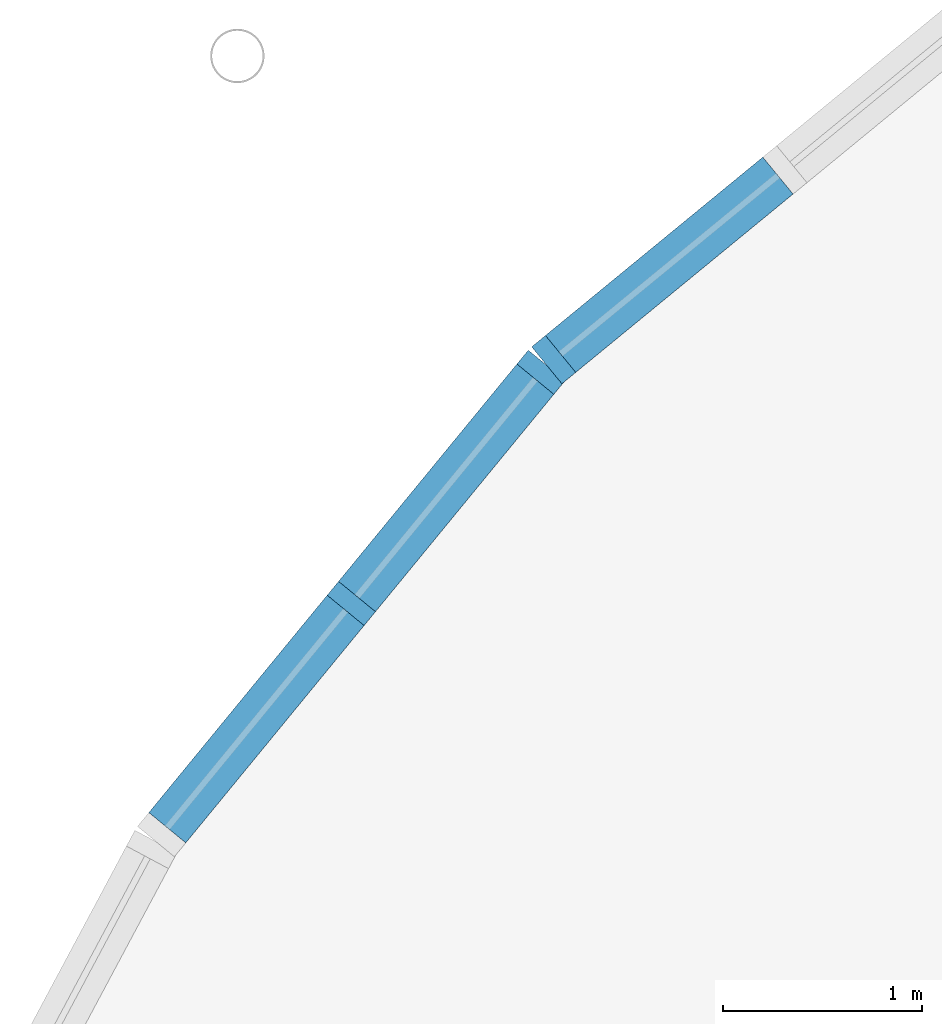
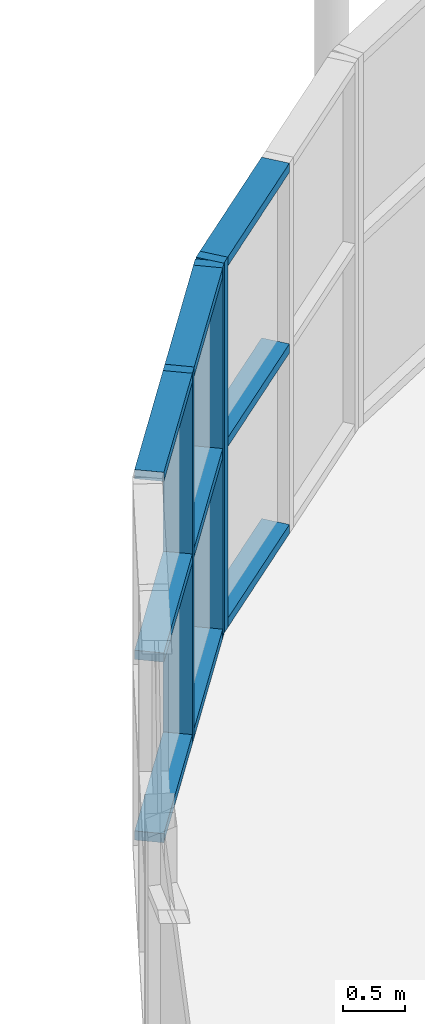
# One storey, part 42 of 98: 12 members, 2 elements without a shape of their own.
"""IFC4 building model written with IfcOpenShell, lengths in metres."""

from ifc_helpers import new_model, si_unit, derived_unit, direction, frame, origin, origin_2d_with_axis, place, context, subcontext, project, spatial, rectangle, extrude, material, material_profile, profile_set, type_object, element, aggregate, save


model = new_model("IFC4")

# Units and contexts
model_context = context("Model", 3, precision=1e-05, world=origin(), true_north=direction((0.0, 1.0)))
body_context = subcontext(model_context, "Body", "Model", "MODEL_VIEW")
ifc_project = project(units=[si_unit("LENGTHUNIT", "METRE"), si_unit("AREAUNIT", "SQUARE_METRE"), si_unit("VOLUMEUNIT", "CUBIC_METRE"), si_unit("PLANEANGLEUNIT", "RADIAN"), si_unit("MASSUNIT", "GRAM", prefix="KILO"), derived_unit("THERMALTRANSMITTANCEUNIT", [(si_unit("POWERUNIT", "WATT"), 1), (si_unit("LENGTHUNIT", "METRE"), -2), (si_unit("THERMODYNAMICTEMPERATUREUNIT", "KELVIN"), -1)])], contexts=[model_context])

# Site, building, storey
site_placement = place(None, origin())
site = spatial("IfcSite", under=ifc_project, at=site_placement, CompositionType="ELEMENT")
building_placement = place(site_placement, origin())
building = spatial("IfcBuilding", under=site, at=building_placement, Name="Cinnabar Yard Market Hall", CompositionType="ELEMENT")
storey_placement = place(building_placement, frame((0.0, 0.0, 4.5)))
storey = spatial("IfcBuildingStorey", under=building, at=storey_placement, Name="L01", CompositionType="ELEMENT", Elevation=4.5)

# Curtain wall, member
ifc_material_1 = material(Name="Anodised bronze aluminium curved-chord facade", Category="aluminium")
curtain_wall_type = type_object("IfcCurtainWallType", Name="CW-CWC031x36", PredefinedType="NOTDEFINED", material=ifc_material_1)
curtain_wall_1_placement = place(storey_placement, origin())
curtain_wall_1 = element("IfcCurtainWall", 1, at=curtain_wall_1_placement, inside=storey, type_object=curtain_wall_type, Name="Corner NW Chord 4 L01", PredefinedType="NOTDEFINED")
ifc_material_2 = material(Name="Anodised bronze aluminium", Category="aluminium")
ifc_material_profile_1 = material_profile(ifc_material_2, rectangle(XDim=0.239990234375, YDim=0.090087890625, at=origin_2d_with_axis()), Name="MUL-CWC")
ifc_profile_set_1 = profile_set([ifc_material_profile_1], Name="Anodised bronze aluminium")
member_type_1 = type_object("IfcMemberType", Name="CWM-CWC", PredefinedType="MULLION", material=ifc_profile_set_1)
member_1_placement = place(storey_placement, frame((72.862548828125, 67.200927734375, 0.0), z_axis=(0.0, 0.0, 1.0), x_axis=(0.634383400924, -0.773018564222, 0.0)))
member_1 = element("IfcMember", 2, at=member_1_placement, type_object=member_type_1, Name="CWC031x36 mullion 3", PredefinedType="MULLION", context=body_context, shape_type="SweptSolid", body=[
    extrude(rectangle(XDim=0.239990234375, YDim=0.090087890625, at=origin_2d_with_axis()), origin(), (0.0, 0.0, 1.0), 3.64990234375),
])

# Curtain wall, members
curtain_wall_2_placement = place(storey_placement, origin())
curtain_wall_2 = element("IfcCurtainWall", 3, at=curtain_wall_2_placement, inside=storey, type_object=curtain_wall_type, Name="Corner NW Chord 5 L01", PredefinedType="NOTDEFINED")
member_2_placement = place(storey_placement, frame((72.799072265625, 67.137451171875, 0.0), z_axis=(0.0, 0.0, 1.0), x_axis=(0.773018564222, -0.634383400924, 0.0)))
member_2 = element("IfcMember", 4, at=member_2_placement, type_object=member_type_1, Name="CWC031x36 mullion 1", PredefinedType="MULLION", context=body_context, shape_type="SweptSolid", body=[
    extrude(rectangle(XDim=0.239990234375, YDim=0.090087890625, at=origin_2d_with_axis()), origin(), (0.0, 0.0, 1.0), 3.64990234375),
])
member_3_placement = place(storey_placement, frame((71.84521484375, 65.97509765625, 0.0), z_axis=(0.0, 0.0, 1.0), x_axis=(0.773018564222, -0.634383400924, 0.0)))
member_3 = element("IfcMember", 5, at=member_3_placement, type_object=member_type_1, Name="CWC031x36 mullion 2", PredefinedType="MULLION", context=body_context, shape_type="SweptSolid", body=[
    extrude(rectangle(XDim=0.239990234375, YDim=0.090087890625, at=origin_2d_with_axis()), origin(), (0.0, 0.0, 1.0), 3.64990234375),
])

# Member
ifc_material_profile_2 = material_profile(ifc_material_2, rectangle(XDim=0.239990234375, YDim=0.090087890625, at=origin_2d_with_axis()), Name="TRN-CWC")
ifc_profile_set_2 = profile_set([ifc_material_profile_2], Name="Anodised bronze aluminium")
member_type_2 = type_object("IfcMemberType", Name="CWT-CWC", PredefinedType="USERDEFINED", material=ifc_profile_set_2)
member_4_placement = place(storey_placement, frame((73.989990234375, 68.126220703125, 0.044921875), z_axis=(-0.773040795861, -0.634356309919, 0.0), x_axis=(0.634356309919, -0.773040795861, 0.0)))
member_4 = element("IfcMember", 6, at=member_4_placement, type_object=member_type_2, Name="CWC031x36 transom 2.1", ObjectType="TRANSOM", PredefinedType="USERDEFINED", context=body_context, shape_type="SweptSolid", body=[
    extrude(rectangle(XDim=0.239990234375, YDim=0.090087890625, at=origin_2d_with_axis()), origin(), (0.0, 0.0, 1.0), 1.41357421875),
])

member_5_placement = place(storey_placement, frame((73.989990234375, 68.126220703125, 1.824951171875), z_axis=(-0.773040795861, -0.634356309919, 0.0), x_axis=(0.634356309919, -0.773040795861, 0.0)))
member_5 = element("IfcMember", 7, at=member_5_placement, type_object=member_type_2, Name="CWC031x36 transom 2.2", ObjectType="TRANSOM", PredefinedType="USERDEFINED", context=body_context, shape_type="SweptSolid", body=[
    extrude(rectangle(XDim=0.239990234375, YDim=0.090087890625, at=origin_2d_with_axis()), origin(), (0.0, 0.0, 1.0), 1.41357421875),
])

member_6_placement = place(storey_placement, frame((73.989990234375, 68.126220703125, 3.60498046875), z_axis=(-0.773040795861, -0.634356309919, 0.0), x_axis=(0.634356309919, -0.773040795861, 0.0)))
member_6 = element("IfcMember", 8, at=member_6_placement, type_object=member_type_2, Name="CWC031x36 transom 2.3", ObjectType="TRANSOM", PredefinedType="USERDEFINED", context=body_context, shape_type="SweptSolid", body=[
    extrude(rectangle(XDim=0.239990234375, YDim=0.090087890625, at=origin_2d_with_axis()), origin(), (0.0, 0.0, 1.0), 1.41357421875),
])

aggregate(curtain_wall_1, [member_1, member_4, member_5, member_6])

member_7_placement = place(storey_placement, frame((72.7705078125, 67.102783203125, 0.044921875), z_axis=(-0.634356309919, -0.773040795861, 0.0), x_axis=(0.773040795861, -0.634356309919, 0.0)))
member_7 = element("IfcMember", 9, at=member_7_placement, type_object=member_type_2, Name="CWC031x36 transom 1.1", ObjectType="TRANSOM", PredefinedType="USERDEFINED", context=body_context, shape_type="SweptSolid", body=[
    extrude(rectangle(XDim=0.239990234375, YDim=0.090087890625, at=origin_2d_with_axis()), origin(), (0.0, 0.0, 1.0), 1.41357421875),
])

member_8_placement = place(storey_placement, frame((72.7705078125, 67.102783203125, 1.824951171875), z_axis=(-0.634356309919, -0.773040795861, 0.0), x_axis=(0.773040795861, -0.634356309919, 0.0)))
member_8 = element("IfcMember", 10, at=member_8_placement, type_object=member_type_2, Name="CWC031x36 transom 1.2", ObjectType="TRANSOM", PredefinedType="USERDEFINED", context=body_context, shape_type="SweptSolid", body=[
    extrude(rectangle(XDim=0.239990234375, YDim=0.090087890625, at=origin_2d_with_axis()), origin(), (0.0, 0.0, 1.0), 1.41357421875),
])

member_9_placement = place(storey_placement, frame((72.7705078125, 67.102783203125, 3.60498046875), z_axis=(-0.634356309919, -0.773040795861, 0.0), x_axis=(0.773040795861, -0.634356309919, 0.0)))
member_9 = element("IfcMember", 11, at=member_9_placement, type_object=member_type_2, Name="CWC031x36 transom 1.3", ObjectType="TRANSOM", PredefinedType="USERDEFINED", context=body_context, shape_type="SweptSolid", body=[
    extrude(rectangle(XDim=0.239990234375, YDim=0.090087890625, at=origin_2d_with_axis()), origin(), (0.0, 0.0, 1.0), 1.41357421875),
])

member_10_placement = place(storey_placement, frame((71.816650390625, 65.9404296875, 0.044921875), z_axis=(-0.634356309919, -0.773040795861, 0.0), x_axis=(0.773040795861, -0.634356309919, 0.0)))
member_10 = element("IfcMember", 12, at=member_10_placement, type_object=member_type_2, Name="CWC031x36 transom 2.1", ObjectType="TRANSOM", PredefinedType="USERDEFINED", context=body_context, shape_type="SweptSolid", body=[
    extrude(rectangle(XDim=0.239990234375, YDim=0.090087890625, at=origin_2d_with_axis()), origin(), (0.0, 0.0, 1.0), 1.41357421875),
])

member_11_placement = place(storey_placement, frame((71.816650390625, 65.9404296875, 1.824951171875), z_axis=(-0.634356309919, -0.773040795861, 0.0), x_axis=(0.773040795861, -0.634356309919, 0.0)))
member_11 = element("IfcMember", 13, at=member_11_placement, type_object=member_type_2, Name="CWC031x36 transom 2.2", ObjectType="TRANSOM", PredefinedType="USERDEFINED", context=body_context, shape_type="SweptSolid", body=[
    extrude(rectangle(XDim=0.239990234375, YDim=0.090087890625, at=origin_2d_with_axis()), origin(), (0.0, 0.0, 1.0), 1.41357421875),
])

member_12_placement = place(storey_placement, frame((71.816650390625, 65.9404296875, 3.60498046875), z_axis=(-0.634356309919, -0.773040795861, 0.0), x_axis=(0.773040795861, -0.634356309919, 0.0)))
member_12 = element("IfcMember", 14, at=member_12_placement, type_object=member_type_2, Name="CWC031x36 transom 2.3", ObjectType="TRANSOM", PredefinedType="USERDEFINED", context=body_context, shape_type="SweptSolid", body=[
    extrude(rectangle(XDim=0.239990234375, YDim=0.090087890625, at=origin_2d_with_axis()), origin(), (0.0, 0.0, 1.0), 1.41357421875),
])

aggregate(curtain_wall_2, [member_2, member_3, member_7, member_8, member_9, member_10, member_11, member_12])

save(model, "model.ifc")
